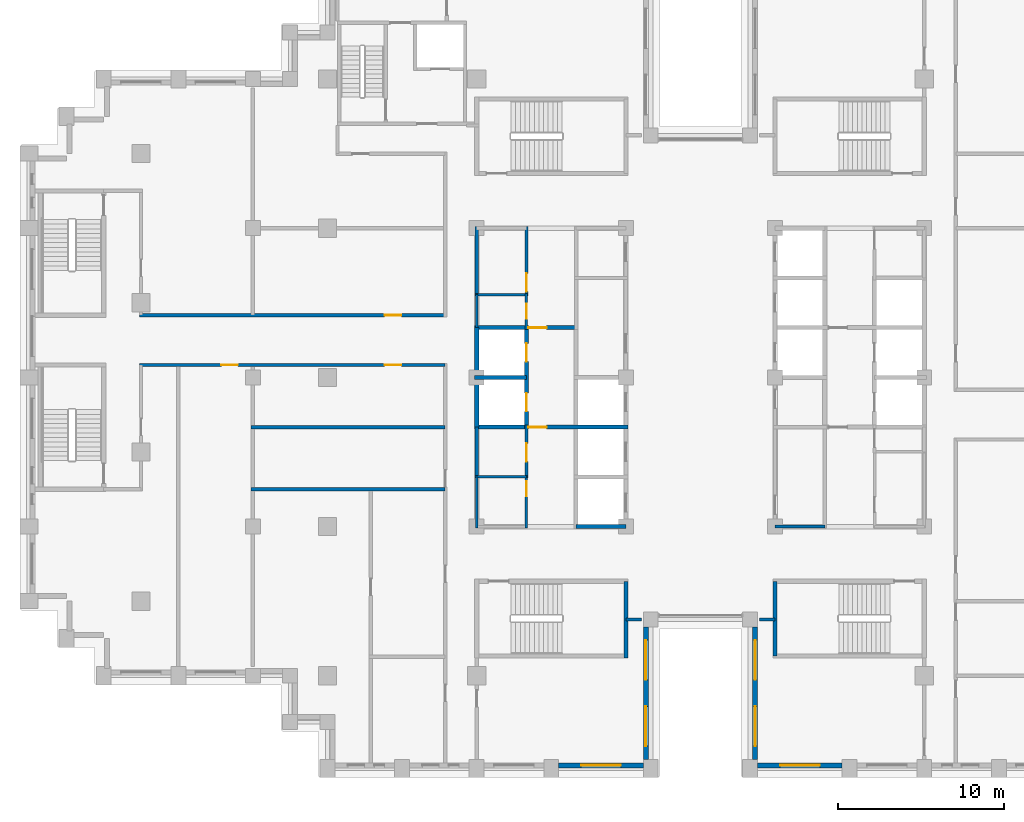
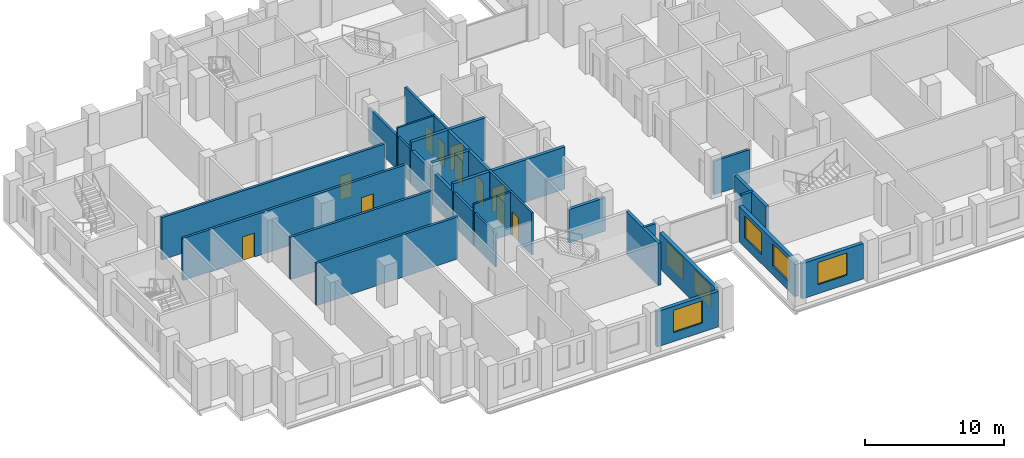
# One storey, part 7 of 15: 29 walls, 11 doors, 6 windows, 17 openings.
"""IFC4 building model written with IfcOpenShell, lengths in metres."""

import ifcopenshell
import ifcopenshell.guid

model = None  # the IFC model being written
_history = None  # IfcOwnerHistory: only IFC2X3 demands one
_inside = {}  # id of a spatial element -> (the spatial element, [elements in it])
_under = {}  # id of a project, library or spatial element -> (it, [spatial elements below it])
_declared = {}  # id of a project -> (the project, [libraries it declares])
_typed = {}  # id of a type object -> (the type object, [elements of that type])
_made_of = {}  # id of a material, layer set ... -> (it, [elements and type objects made of it])


def new_model(schema):
    """Start an empty IFC model of exactly this schema.

    Asked for "IFC4X3", IfcOpenShell would pick the latest addendum, in which some entities
    have other attributes; the version numbers below select the first issue.
    IFC2X3 requires an IfcOwnerHistory on every rooted entity: one is made here for all.
    """
    global model, _history
    if schema == "IFC4X3":
        model = ifcopenshell.file(schema_version=(4, 3, 0, 0))
    else:
        model = ifcopenshell.file(schema=schema)
    _inside.clear()
    _under.clear()
    _declared.clear()
    _typed.clear()
    _made_of.clear()
    _history = None
    if model.schema == "IFC2X3":
        org = make("IfcOrganization", Name="unknown")
        user = make(
            "IfcPersonAndOrganization",
            ThePerson=make("IfcPerson", FamilyName="unknown"),
            TheOrganization=org,
        )
        app = make(
            "IfcApplication",
            ApplicationDeveloper=org,
            Version="unknown",
            ApplicationFullName="unknown",
            ApplicationIdentifier="unknown",
        )
        _history = make(
            "IfcOwnerHistory",
            OwningUser=user,
            OwningApplication=app,
            ChangeAction="ADDED",
            CreationDate=0,
        )
    return model


def make(cls, **values):
    """One entity of the class cls with the attributes given. An attribute that is None is left unset."""
    return model.create_entity(
        cls, **{name: value for name, value in values.items() if value is not None}
    )


def rooted(cls, **values):
    """An entity with a GlobalId (a new one), such as an element, a storey or a relation."""
    return make(cls, GlobalId=ifcopenshell.guid.new(), OwnerHistory=_history, **values)


def si_unit(unit_type, name, prefix=None):
    """IfcSIUnit, for example si_unit("LENGTHUNIT", "METRE", prefix="MILLI")."""
    return make("IfcSIUnit", UnitType=unit_type, Prefix=prefix, Name=name)


def assignment(units):
    """IfcUnitAssignment: the units of a project."""
    return None if units is None else make("IfcUnitAssignment", Units=units)


def point(xyz):
    """IfcCartesianPoint."""
    return None if xyz is None else make("IfcCartesianPoint", Coordinates=xyz)


def direction(xyz):
    """IfcDirection."""
    return None if xyz is None else make("IfcDirection", DirectionRatios=xyz)


def frame(location, z_axis=None, x_axis=None):
    """IfcAxis2Placement3D, a coordinate frame: its origin and axes. An axis left out is left unset."""
    return make(
        "IfcAxis2Placement3D",
        Location=point(location),
        Axis=direction(z_axis),
        RefDirection=direction(x_axis),
    )


def frame_2d(location, x_axis=None):
    """IfcAxis2Placement2D, a coordinate frame in the plane: its origin and x axis."""
    return make(
        "IfcAxis2Placement2D", Location=point(location), RefDirection=direction(x_axis)
    )


def origin():
    """The frame at (0, 0, 0) with its axes left unset."""
    return frame((0.0, 0.0, 0.0))


def place(relative_to, where):
    """IfcLocalPlacement: puts the frame where relative to a parent placement (None: the world)."""
    return make(
        "IfcLocalPlacement", PlacementRelTo=relative_to, RelativePlacement=where
    )


def context(
    kind, dimensions, precision=None, world=None, true_north=None, identifier=None
):
    """IfcGeometricRepresentationContext, for example the 3D "Model" context."""
    return make(
        "IfcGeometricRepresentationContext",
        ContextIdentifier=identifier,
        ContextType=kind,
        CoordinateSpaceDimension=dimensions,
        Precision=precision,
        WorldCoordinateSystem=world,
        TrueNorth=true_north,
    )


def subcontext(parent, identifier, kind, view, scale=None):
    """IfcGeometricRepresentationSubContext, for example "Body" below "Model"."""
    return make(
        "IfcGeometricRepresentationSubContext",
        ContextIdentifier=identifier,
        ContextType=kind,
        ParentContext=parent,
        TargetScale=scale,
        TargetView=view,
    )


def project(units=None, contexts=None):
    """IfcProject with its units and contexts."""
    return rooted(
        "IfcProject",
        Name="project",
        RepresentationContexts=contexts,
        UnitsInContext=assignment(units),
    )


def spatial(cls, under=None, at=None, **own):
    """A site, building, storey or space (cls), placed at a placement, below another one or the project."""
    s = rooted(cls, ObjectPlacement=at, **own)
    if under is not None:
        _under.setdefault(under.id(), (under, []))[1].append(s)
    return s


def profile(cls, at=None, kind="AREA", **sizes):
    """A parametric profile (cls). Its sizes go by their IFC names, for example OverallWidth=200.0."""
    return make(cls, ProfileType=kind, Position=at, **sizes)


def rectangle(**sizes):
    """IfcRectangleProfileDef."""
    return profile("IfcRectangleProfileDef", **sizes)


def extrude(swept, where, along, depth):
    """IfcExtrudedAreaSolid: the profile swept, set in the frame where, extruded along a direction by depth."""
    return make(
        "IfcExtrudedAreaSolid",
        SweptArea=swept,
        Position=where,
        ExtrudedDirection=direction(along),
        Depth=depth,
    )


def shape(context_of_items, identifier, shape_type, items):
    """IfcShapeRepresentation: the items that make up one representation, for example the "Body"."""
    return make(
        "IfcShapeRepresentation",
        ContextOfItems=context_of_items,
        RepresentationIdentifier=identifier,
        RepresentationType=shape_type,
        Items=items,
    )


def material(Name=None, Category=None):
    """IfcMaterial."""
    return make("IfcMaterial", Name=Name, Category=Category)


def layer(
    of_material, thickness, ventilated=None, Name=None, Category=None, Priority=None
):
    """IfcMaterialLayer: one layer of a wall or slab, of a material (None: an air gap)."""
    return make(
        "IfcMaterialLayer",
        Material=of_material,
        LayerThickness=thickness,
        IsVentilated=ventilated,
        Name=Name,
        Category=Category,
        Priority=Priority,
    )


def layer_set(layers, Name=None):
    """IfcMaterialLayerSet."""
    return make("IfcMaterialLayerSet", MaterialLayers=layers, LayerSetName=Name)


def made_of(thing, what):
    """Note that an element or type object is made of a material, layer set ...; save() writes the relation."""
    if what is not None:
        _made_of.setdefault(what.id(), (what, []))[1].append(thing)
    return thing


def type_object(cls, material=None, **own):
    """A type object (cls), such as IfcWallType, which elements share."""
    return made_of(rooted(cls, **own), material)


def element(
    cls,
    number,
    at=None,
    inside=None,
    cuts=None,
    type_object=None,
    material=None,
    context=None,
    identifier="Body",
    shape_type=None,
    held_by="IfcProductDefinitionShape",
    body=None,
    shapes=None,
    **own,
):
    """One element of the class cls, such as IfcWall. Its Tag is "e" and its number.

    at: its placement. inside: the storey or other place that contains it. cuts: it is an
    opening in that element (IfcRelVoidsElement). A single representation is given by context,
    identifier, shape_type and body (its items); several are given by shapes. held_by: the class
    of the entity that holds the representations. save() writes the other relations.
    """
    e = rooted(cls, Tag="e%d" % number, ObjectPlacement=at, **own)
    if body is not None:
        shapes = [shape(context, identifier, shape_type, body)]
    if shapes is not None:
        e.Representation = make(held_by, Representations=shapes)
    if inside is not None:
        _inside.setdefault(inside.id(), (inside, []))[1].append(e)
    if cuts is not None:
        rooted(
            "IfcRelVoidsElement", RelatingBuildingElement=cuts, RelatedOpeningElement=e
        )
    if type_object is not None:
        _typed.setdefault(type_object.id(), (type_object, []))[1].append(e)
    return made_of(e, material)


def fill(opening, filler):
    """IfcRelFillsElement: the door or window that sits in an opening."""
    return rooted(
        "IfcRelFillsElement",
        RelatingOpeningElement=opening,
        RelatedBuildingElement=filler,
    )


def aggregate(whole, parts):
    """IfcRelAggregates: a whole, such as a stair, and the parts it consists of."""
    return rooted("IfcRelAggregates", RelatingObject=whole, RelatedObjects=parts)


def save(model, path):
    """Write the relations noted so far, then the file.

    IfcRelAggregates (storeys below a building ...), IfcRelContainedInSpatialStructure (elements
    in a storey), IfcRelDefinesByType, IfcRelAssociatesMaterial and IfcRelDeclares: one each for
    every whole, place, type object, material and project.
    """
    for whole, parts in _under.values():
        aggregate(whole, parts)
    for where, things in _inside.values():
        rooted(
            "IfcRelContainedInSpatialStructure",
            RelatedElements=things,
            RelatingStructure=where,
        )
    for kind, things in _typed.values():
        rooted("IfcRelDefinesByType", RelatedObjects=things, RelatingType=kind)
    for what, things in _made_of.values():
        rooted("IfcRelAssociatesMaterial", RelatedObjects=things, RelatingMaterial=what)
    for by, libraries in _declared.values():
        rooted("IfcRelDeclares", RelatingContext=by, RelatedDefinitions=libraries)
    model.write(path)


model = new_model("IFC4")

# Units and contexts
model_context = context("Model", 3, precision=1e-05, world=origin(), true_north=direction((0.0, 1.0)))
body_context = subcontext(model_context, "Body", "Model", "MODEL_VIEW")
ifc_project = project(units=[si_unit("LENGTHUNIT", "METRE"), si_unit("AREAUNIT", "SQUARE_METRE"), si_unit("VOLUMEUNIT", "CUBIC_METRE"), si_unit("PLANEANGLEUNIT", "RADIAN"), si_unit("MASSUNIT", "GRAM", prefix="KILO")], contexts=[model_context])

# Site, building, storey
site_placement = place(None, origin())
site = spatial("IfcSite", under=ifc_project, at=site_placement, CompositionType="ELEMENT")
building_placement = place(site_placement, origin())
building = spatial("IfcBuilding", under=site, at=building_placement, Name="Corbelhall Arena Tower", CompositionType="ELEMENT")
storey_placement = place(building_placement, frame((0.0, 0.0, 134.0)))
storey = spatial("IfcBuildingStorey", under=building, at=storey_placement, Name="L25", CompositionType="ELEMENT", Elevation=134.0)

# Wall, opening, window
ifc_material_1 = material(Name="Precast concrete C40/50 with granite facing", Category="masonry")
ifc_layer_1 = layer(ifc_material_1, 0.300048828125)
ifc_layer_set_1 = layer_set([ifc_layer_1], Name="EV-IW1 Infill panel 300")
wall_type_1 = type_object("IfcWallType", Name="EV-IW1 Infill panel 300", PredefinedType="SOLIDWALL", material=ifc_layer_set_1)
wall_1_placement = place(storey_placement, frame((-8.550048828125, -23.39990234375, 0.0), z_axis=(0.0, 0.0, 1.0), x_axis=(1.0, 0.0, 0.0)))
wall_1 = element("IfcWall", 1, at=wall_1_placement, inside=storey, type_object=wall_type_1, Name="Infill panel IW1", PredefinedType="SOLIDWALL", context=body_context, shape_type="SweptSolid", body=[
    extrude(rectangle(XDim=5.10009765625, YDim=0.300048828125, at=frame_2d((2.550048828125, 0.0))), origin(), (0.0, 0.0, 1.0), 3.10009765625),
])
opening_1_placement = place(wall_1_placement, frame((1.35009765625, 0.0, 0.800048828125)))
opening_1 = element("IfcOpeningElement", 2, at=opening_1_placement, cuts=wall_1, Name="Opening WN1", PredefinedType="OPENING", context=body_context, shape_type="SweptSolid", body=[
    extrude(rectangle(XDim=2.39990234375, YDim=1.949951171875, at=frame_2d((1.199951171875, 0.97509765625))), frame((0.0, 0.14990234375, 0.0), z_axis=(0.0, -1.0, 0.0), x_axis=(1.0, 0.0, 0.0)), (0.0, 0.0, 1.0), 0.300048828125),
])
ifc_material_2 = material(Name="Aluminium black anodised", Category="aluminium")
window_type = type_object("IfcWindowType", Name="EV-WN1 Office window", PartitioningType="SINGLE_PANEL", PredefinedType="WINDOW", material=ifc_material_2)
window_1_placement = place(opening_1_placement, origin())
window_1 = element("IfcWindow", 3, at=window_1_placement, inside=storey, type_object=window_type, Name="Window WN1", OverallHeight=1.949951171875, OverallWidth=2.39990234375, PartitioningType="SINGLE_PANEL", PredefinedType="WINDOW", context=body_context, shape_type="SweptSolid", body=[
    extrude(rectangle(XDim=2.39990234375, YDim=1.949951171875, at=frame_2d((1.199951171875, 0.97509765625))), frame((0.0, 0.030029296875, 0.0), z_axis=(0.0, -1.0, 0.0), x_axis=(1.0, 0.0, 0.0)), (0.0, 0.0, 1.0), 0.06005859375),
])
fill(opening_1, window_1)

# Wall, openings, windows
wall_2_placement = place(storey_placement, frame((-3.300048828125, -23.050048828125, 0.0), z_axis=(0.0, 0.0, 1.0), x_axis=(0.0, 1.0, 0.0)))
wall_2 = element("IfcWall", 4, at=wall_2_placement, inside=storey, type_object=wall_type_1, Name="Infill panel IW1", PredefinedType="SOLIDWALL", context=body_context, shape_type="SweptSolid", body=[
    extrude(rectangle(XDim=8.0, YDim=0.300048828125, at=frame_2d((4.0, 0.0))), origin(), (0.0, 0.0, 1.0), 3.10009765625),
])
opening_2_placement = place(wall_2_placement, frame((0.800048828125, 0.0, 0.800048828125)))
opening_2 = element("IfcOpeningElement", 5, at=opening_2_placement, cuts=wall_2, Name="Opening WN1", PredefinedType="OPENING", context=body_context, shape_type="SweptSolid", body=[
    extrude(rectangle(XDim=2.39990234375, YDim=1.949951171875, at=frame_2d((1.199951171875, 0.97509765625))), frame((0.0, 0.14990234375, 0.0), z_axis=(0.0, -1.0, 0.0), x_axis=(1.0, 0.0, 0.0)), (0.0, 0.0, 1.0), 0.300048828125),
])
opening_3_placement = place(wall_2_placement, frame((4.800048828125, 0.0, 0.800048828125)))
opening_3 = element("IfcOpeningElement", 6, at=opening_3_placement, cuts=wall_2, Name="Opening WN1", PredefinedType="OPENING", context=body_context, shape_type="SweptSolid", body=[
    extrude(rectangle(XDim=2.39990234375, YDim=1.949951171875, at=frame_2d((1.199951171875, 0.97509765625))), frame((0.0, 0.14990234375, 0.0), z_axis=(0.0, -1.0, 0.0), x_axis=(1.0, 0.0, 0.0)), (0.0, 0.0, 1.0), 0.300048828125),
])
window_2_placement = place(opening_2_placement, origin())
window_2 = element("IfcWindow", 7, at=window_2_placement, inside=storey, type_object=window_type, Name="Window WN1", OverallHeight=1.949951171875, OverallWidth=2.39990234375, PartitioningType="SINGLE_PANEL", PredefinedType="WINDOW", context=body_context, shape_type="SweptSolid", body=[
    extrude(rectangle(XDim=2.39990234375, YDim=1.949951171875, at=frame_2d((1.199951171875, 0.97509765625))), frame((0.0, 0.030029296875, 0.0), z_axis=(0.0, -1.0, 0.0), x_axis=(1.0, 0.0, 0.0)), (0.0, 0.0, 1.0), 0.06005859375),
])
fill(opening_2, window_2)
window_3_placement = place(opening_3_placement, origin())
window_3 = element("IfcWindow", 8, at=window_3_placement, inside=storey, type_object=window_type, Name="Window WN1", OverallHeight=1.949951171875, OverallWidth=2.39990234375, PartitioningType="SINGLE_PANEL", PredefinedType="WINDOW", context=body_context, shape_type="SweptSolid", body=[
    extrude(rectangle(XDim=2.39990234375, YDim=1.949951171875, at=frame_2d((1.199951171875, 0.97509765625))), frame((0.0, 0.030029296875, 0.0), z_axis=(0.0, -1.0, 0.0), x_axis=(1.0, 0.0, 0.0)), (0.0, 0.0, 1.0), 0.06005859375),
])
fill(opening_3, window_3)

wall_3_placement = place(storey_placement, frame((3.300048828125, -15.050048828125, 0.0), z_axis=(0.0, 0.0, 1.0), x_axis=(0.0, -1.0, 0.0)))
wall_3 = element("IfcWall", 9, at=wall_3_placement, inside=storey, type_object=wall_type_1, Name="Infill panel IW1", PredefinedType="SOLIDWALL", context=body_context, shape_type="SweptSolid", body=[
    extrude(rectangle(XDim=8.0, YDim=0.300048828125, at=frame_2d((4.0, 0.0))), origin(), (0.0, 0.0, 1.0), 3.10009765625),
])
opening_4_placement = place(wall_3_placement, frame((0.800048828125, 0.0, 0.800048828125)))
opening_4 = element("IfcOpeningElement", 10, at=opening_4_placement, cuts=wall_3, Name="Opening WN1", PredefinedType="OPENING", context=body_context, shape_type="SweptSolid", body=[
    extrude(rectangle(XDim=2.39990234375, YDim=1.949951171875, at=frame_2d((1.199951171875, 0.97509765625))), frame((0.0, 0.14990234375, 0.0), z_axis=(0.0, -1.0, 0.0), x_axis=(1.0, 0.0, 0.0)), (0.0, 0.0, 1.0), 0.300048828125),
])
opening_5_placement = place(wall_3_placement, frame((4.800048828125, 0.0, 0.800048828125)))
opening_5 = element("IfcOpeningElement", 11, at=opening_5_placement, cuts=wall_3, Name="Opening WN1", PredefinedType="OPENING", context=body_context, shape_type="SweptSolid", body=[
    extrude(rectangle(XDim=2.39990234375, YDim=1.949951171875, at=frame_2d((1.199951171875, 0.97509765625))), frame((0.0, 0.14990234375, 0.0), z_axis=(0.0, -1.0, 0.0), x_axis=(1.0, 0.0, 0.0)), (0.0, 0.0, 1.0), 0.300048828125),
])
window_4_placement = place(opening_4_placement, origin())
window_4 = element("IfcWindow", 12, at=window_4_placement, inside=storey, type_object=window_type, Name="Window WN1", OverallHeight=1.949951171875, OverallWidth=2.39990234375, PartitioningType="SINGLE_PANEL", PredefinedType="WINDOW", context=body_context, shape_type="SweptSolid", body=[
    extrude(rectangle(XDim=2.39990234375, YDim=1.949951171875, at=frame_2d((1.199951171875, 0.97509765625))), frame((0.0, 0.030029296875, 0.0), z_axis=(0.0, -1.0, 0.0), x_axis=(1.0, 0.0, 0.0)), (0.0, 0.0, 1.0), 0.06005859375),
])
fill(opening_4, window_4)
window_5_placement = place(opening_5_placement, origin())
window_5 = element("IfcWindow", 13, at=window_5_placement, inside=storey, type_object=window_type, Name="Window WN1", OverallHeight=1.949951171875, OverallWidth=2.39990234375, PartitioningType="SINGLE_PANEL", PredefinedType="WINDOW", context=body_context, shape_type="SweptSolid", body=[
    extrude(rectangle(XDim=2.39990234375, YDim=1.949951171875, at=frame_2d((1.199951171875, 0.97509765625))), frame((0.0, 0.030029296875, 0.0), z_axis=(0.0, -1.0, 0.0), x_axis=(1.0, 0.0, 0.0)), (0.0, 0.0, 1.0), 0.06005859375),
])
fill(opening_5, window_5)

# Wall, opening, window
wall_4_placement = place(storey_placement, frame((3.449951171875, -23.39990234375, 0.0), z_axis=(0.0, 0.0, 1.0), x_axis=(1.0, 0.0, 0.0)))
wall_4 = element("IfcWall", 14, at=wall_4_placement, inside=storey, type_object=wall_type_1, Name="Infill panel IW1", PredefinedType="SOLIDWALL", context=body_context, shape_type="SweptSolid", body=[
    extrude(rectangle(XDim=5.10009765625, YDim=0.300048828125, at=frame_2d((2.550048828125, 0.0))), origin(), (0.0, 0.0, 1.0), 3.10009765625),
])
opening_6_placement = place(wall_4_placement, frame((1.35009765625, 0.0, 0.800048828125)))
opening_6 = element("IfcOpeningElement", 15, at=opening_6_placement, cuts=wall_4, Name="Opening WN1", PredefinedType="OPENING", context=body_context, shape_type="SweptSolid", body=[
    extrude(rectangle(XDim=2.39990234375, YDim=1.949951171875, at=frame_2d((1.199951171875, 0.97509765625))), frame((0.0, 0.14990234375, 0.0), z_axis=(0.0, -1.0, 0.0), x_axis=(1.0, 0.0, 0.0)), (0.0, 0.0, 1.0), 0.300048828125),
])
window_6_placement = place(opening_6_placement, origin())
window_6 = element("IfcWindow", 16, at=window_6_placement, inside=storey, type_object=window_type, Name="Window WN1", OverallHeight=1.949951171875, OverallWidth=2.39990234375, PartitioningType="SINGLE_PANEL", PredefinedType="WINDOW", context=body_context, shape_type="SweptSolid", body=[
    extrude(rectangle(XDim=2.39990234375, YDim=1.949951171875, at=frame_2d((1.199951171875, 0.97509765625))), frame((0.0, 0.030029296875, 0.0), z_axis=(0.0, -1.0, 0.0), x_axis=(1.0, 0.0, 0.0)), (0.0, 0.0, 1.0), 0.06005859375),
])
fill(opening_6, window_6)

# Wall, opening, door
ifc_material_3 = material(Name="Gypsum board on steel stud, acoustic", Category="steel")
ifc_layer_2 = layer(ifc_material_3, 0.199951171875)
ifc_layer_set_2 = layer_set([ifc_layer_2], Name="IN-W-DM200")
wall_type_2 = type_object("IfcWallType", Name="IN-W-DM200", PredefinedType="PARTITIONING", material=ifc_layer_set_2)
wall_5_placement = place(storey_placement, frame((-33.85009765625, 3.75, 0.0), z_axis=(0.0, 0.0, 1.0), x_axis=(1.0, 0.0, 0.0)))
wall_5 = element("IfcWall", 17, at=wall_5_placement, inside=storey, type_object=wall_type_2, Name="Partition 002", PredefinedType="PARTITIONING", context=body_context, shape_type="SweptSolid", body=[
    extrude(rectangle(XDim=18.4501953125, YDim=0.199951171875, at=frame_2d((9.22509765625, 0.0))), origin(), (0.0, 0.0, 1.0), 3.699951171875),
])
opening_7_placement = place(wall_5_placement, frame((14.800048828125, 0.0, 0.0)))
opening_7 = element("IfcOpeningElement", 18, at=opening_7_placement, cuts=wall_5, Name="Opening 06027", PredefinedType="OPENING", context=body_context, shape_type="SweptSolid", body=[
    extrude(rectangle(XDim=1.0, YDim=2.10009765625, at=frame_2d((0.5, 1.050048828125))), frame((0.0, 0.10009765625, 0.0), z_axis=(0.0, -1.0, 0.0), x_axis=(1.0, 0.0, 0.0)), (0.0, 0.0, 1.0), 0.199951171875),
])
ifc_material_4 = material(Name="Steel door set", Category="steel")
door_type_1 = type_object("IfcDoorType", Name="IN-D-SW100", OperationType="NOTDEFINED", PredefinedType="DOOR", material=ifc_material_4)
door_1_placement = place(opening_7_placement, origin())
door_1 = element("IfcDoor", 19, at=door_1_placement, inside=storey, type_object=door_type_1, Name="Door 027", OperationType="SINGLE_SWING_RIGHT", OverallHeight=2.10009765625, OverallWidth=1.0, PredefinedType="DOOR", context=body_context, shape_type="SweptSolid", body=[
    extrude(rectangle(XDim=1.0, YDim=2.10009765625, at=frame_2d((0.5, 1.050048828125))), frame((0.0, 0.02490234375, 0.0), z_axis=(0.0, -1.0, 0.0), x_axis=(1.0, 0.0, 0.0)), (0.0, 0.0, 1.0), 0.050048828125),
])
fill(opening_7, door_1)

# Wall, openings, doors
wall_6_placement = place(storey_placement, frame((-15.39990234375, 0.75, 0.0), z_axis=(0.0, 0.0, 1.0), x_axis=(-1.0, 0.0, 0.0)))
wall_6 = element("IfcWall", 20, at=wall_6_placement, inside=storey, type_object=wall_type_2, Name="Partition 007", PredefinedType="PARTITIONING", context=body_context, shape_type="SweptSolid", body=[
    extrude(rectangle(XDim=18.4501953125, YDim=0.199951171875, at=frame_2d((9.22509765625, 0.0))), origin(), (0.0, 0.0, 1.0), 3.699951171875),
])
opening_8_placement = place(wall_6_placement, frame((2.64990234375, 0.0, 0.0)))
opening_8 = element("IfcOpeningElement", 21, at=opening_8_placement, cuts=wall_6, Name="Opening 06033", PredefinedType="OPENING", context=body_context, shape_type="SweptSolid", body=[
    extrude(rectangle(XDim=1.0, YDim=2.10009765625, at=frame_2d((0.5, 1.050048828125))), frame((0.0, 0.10009765625, 0.0), z_axis=(0.0, -1.0, 0.0), x_axis=(1.0, 0.0, 0.0)), (0.0, 0.0, 1.0), 0.199951171875),
])
opening_9_placement = place(wall_6_placement, frame((12.5, 0.0, 0.0)))
opening_9 = element("IfcOpeningElement", 22, at=opening_9_placement, cuts=wall_6, Name="Opening 06345", PredefinedType="OPENING", context=body_context, shape_type="SweptSolid", body=[
    extrude(rectangle(XDim=1.0, YDim=2.10009765625, at=frame_2d((0.5, 1.050048828125))), frame((0.0, 0.10009765625, 0.0), z_axis=(0.0, -1.0, 0.0), x_axis=(1.0, 0.0, 0.0)), (0.0, 0.0, 1.0), 0.199951171875),
])
door_2_placement = place(opening_8_placement, origin())
door_2 = element("IfcDoor", 23, at=door_2_placement, inside=storey, type_object=door_type_1, Name="Door 033", OperationType="SINGLE_SWING_RIGHT", OverallHeight=2.10009765625, OverallWidth=1.0, PredefinedType="DOOR", context=body_context, shape_type="SweptSolid", body=[
    extrude(rectangle(XDim=1.0, YDim=2.10009765625, at=frame_2d((0.5, 1.050048828125))), frame((0.0, 0.02490234375, 0.0), z_axis=(0.0, -1.0, 0.0), x_axis=(1.0, 0.0, 0.0)), (0.0, 0.0, 1.0), 0.050048828125),
])
fill(opening_8, door_2)
door_3_placement = place(opening_9_placement, origin())
door_3 = element("IfcDoor", 24, at=door_3_placement, inside=storey, type_object=door_type_1, Name="Door 045", OperationType="SINGLE_SWING_RIGHT", OverallHeight=2.10009765625, OverallWidth=1.0, PredefinedType="DOOR", context=body_context, shape_type="SweptSolid", body=[
    extrude(rectangle(XDim=1.0, YDim=2.10009765625, at=frame_2d((0.5, 1.050048828125))), frame((0.0, 0.02490234375, 0.0), z_axis=(0.0, -1.0, 0.0), x_axis=(1.0, 0.0, 0.0)), (0.0, 0.0, 1.0), 0.050048828125),
])
fill(opening_9, door_3)

# Walls
for number, where, z_axis, x_axis, name in (
    (25, (-27.10009765625, -6.75, 0.0), (0.0, 0.0, 1.0), (1.0, 0.0, 0.0), "Partition 008"),
    (26, (-27.10009765625, -3.0, 0.0), (0.0, 0.0, 1.0), (1.0, 0.0, 0.0), "Partition 009"),
):
    element("IfcWall", number, at=place(storey_placement, frame(where, z_axis=z_axis, x_axis=x_axis)), inside=storey, type_object=wall_type_2, Name=name, PredefinedType="PARTITIONING", context=body_context, shape_type="SweptSolid", body=[
        extrude(rectangle(XDim=11.7001953125, YDim=0.199951171875, at=frame_2d((5.85009765625, 0.0))), origin(), (0.0, 0.0, 1.0), 3.699951171875),
    ])
for number, where, z_axis, x_axis, name in (
    (27, (-3.550048828125, -14.60009765625, 0.0), (0.0, 0.0, 1.0), (-1.0, 0.0, 0.0), "Partition 024"),
    (28, (4.5, -14.60009765625, 0.0), (0.0, 0.0, 1.0), (-1.0, 0.0, 0.0), "Partition 026"),
):
    element("IfcWall", number, at=place(storey_placement, frame(where, z_axis=z_axis, x_axis=x_axis)), inside=storey, type_object=wall_type_2, Name=name, PredefinedType="PARTITIONING", context=body_context, shape_type="SweptSolid", body=[
        extrude(rectangle(XDim=0.949951171875, YDim=0.199951171875, at=frame_2d((0.47509765625, 0.0))), origin(), (0.0, 0.0, 1.0), 3.699951171875),
    ])

# Wall, opening, door
ifc_material_5 = material(Name="Concrete block wall", Category="concrete")
ifc_layer_3 = layer(ifc_material_5, 0.199951171875)
ifc_layer_set_3 = layer_set([ifc_layer_3], Name="IN-W-RS200")
wall_type_3 = type_object("IfcWallType", Name="IN-W-RS200", PredefinedType="SOLIDWALL", material=ifc_layer_set_3)
wall_7_placement = place(storey_placement, frame((-10.5, -6.074951171875, 0.0), z_axis=(0.0, 0.0, 1.0), x_axis=(0.0, 1.0, 0.0)))
wall_7 = element("IfcWall", 29, at=wall_7_placement, inside=storey, type_object=wall_type_3, Name="Partition 050", PredefinedType="SOLIDWALL", context=body_context, shape_type="SweptSolid", body=[
    extrude(rectangle(XDim=3.199951171875, YDim=0.199951171875, at=frame_2d((1.60009765625, 0.0))), origin(), (0.0, 0.0, 1.0), 3.699951171875),
])
opening_10_placement = place(wall_7_placement, frame((1.0, 0.0, 0.0)))
opening_10 = element("IfcOpeningElement", 30, at=opening_10_placement, cuts=wall_7, Name="Opening 06006", PredefinedType="OPENING", context=body_context, shape_type="SweptSolid", body=[
    extrude(rectangle(XDim=1.10009765625, YDim=2.10009765625, at=frame_2d((0.550048828125, 1.050048828125))), frame((0.0, 0.10009765625, 0.0), z_axis=(0.0, -1.0, 0.0), x_axis=(1.0, 0.0, 0.0)), (0.0, 0.0, 1.0), 0.199951171875),
])
door_type_2 = type_object("IfcDoorType", Name="IN-D-FD110", OperationType="NOTDEFINED", PredefinedType="DOOR", material=ifc_material_4)
door_4_placement = place(opening_10_placement, origin())
door_4 = element("IfcDoor", 31, at=door_4_placement, inside=storey, type_object=door_type_2, Name="Door 006", OperationType="SINGLE_SWING_LEFT", OverallHeight=2.10009765625, OverallWidth=1.10009765625, PredefinedType="DOOR", context=body_context, shape_type="SweptSolid", body=[
    extrude(rectangle(XDim=1.10009765625, YDim=2.10009765625, at=frame_2d((0.550048828125, 1.050048828125))), frame((0.0, 0.02490234375, 0.0), z_axis=(0.0, -1.0, 0.0), x_axis=(1.0, 0.0, 0.0)), (0.0, 0.0, 1.0), 0.050048828125),
])
fill(opening_10, door_4)

wall_8_placement = place(storey_placement, frame((-10.5, 4.925048828125, 0.0), z_axis=(0.0, 0.0, 1.0), x_axis=(0.0, 1.0, 0.0)))
wall_8 = element("IfcWall", 32, at=wall_8_placement, inside=storey, type_object=wall_type_3, Name="Partition 051", PredefinedType="SOLIDWALL", context=body_context, shape_type="SweptSolid", body=[
    extrude(rectangle(XDim=4.175048828125, YDim=0.199951171875, at=frame_2d((2.08740234375, 0.0))), origin(), (0.0, 0.0, 1.0), 3.699951171875),
])
opening_11_placement = place(wall_8_placement, frame((0.25, 0.0, 0.0)))
opening_11 = element("IfcOpeningElement", 33, at=opening_11_placement, cuts=wall_8, Name="Opening 06007", PredefinedType="OPENING", context=body_context, shape_type="SweptSolid", body=[
    extrude(rectangle(XDim=1.10009765625, YDim=2.10009765625, at=frame_2d((0.550048828125, 1.050048828125))), frame((0.0, 0.10009765625, 0.0), z_axis=(0.0, -1.0, 0.0), x_axis=(1.0, 0.0, 0.0)), (0.0, 0.0, 1.0), 0.199951171875),
])
door_5_placement = place(opening_11_placement, origin())
door_5 = element("IfcDoor", 34, at=door_5_placement, inside=storey, type_object=door_type_2, Name="Door 007", OperationType="SINGLE_SWING_RIGHT", OverallHeight=2.10009765625, OverallWidth=1.10009765625, PredefinedType="DOOR", context=body_context, shape_type="SweptSolid", body=[
    extrude(rectangle(XDim=1.10009765625, YDim=2.10009765625, at=frame_2d((0.550048828125, 1.050048828125))), frame((0.0, 0.02490234375, 0.0), z_axis=(0.0, -1.0, 0.0), x_axis=(1.0, 0.0, 0.0)), (0.0, 0.0, 1.0), 0.050048828125),
])
fill(opening_11, door_5)

# Walls
ifc_layer_4 = layer(ifc_material_5, 0.199951171875)
ifc_layer_set_4 = layer_set([ifc_layer_4], Name="IN-W-RS200 under beam 762 mm")
wall_type_4 = type_object("IfcWallType", Name="IN-W-RS200 under beam 762 mm", PredefinedType="SOLIDWALL", material=ifc_layer_set_4)
wall_9_placement = place(storey_placement, frame((-13.5, -6.0, 0.0), z_axis=(0.0, 0.0, 1.0), x_axis=(0.0, 1.0, 0.0)))
element("IfcWall", 35, at=wall_9_placement, inside=storey, type_object=wall_type_4, Name="Partition 047", PredefinedType="SOLIDWALL", context=body_context, shape_type="SweptSolid", body=[
    extrude(rectangle(XDim=3.0, YDim=0.199951171875, at=frame_2d((1.5, 0.0))), origin(), (0.0, 0.0, 1.0), 2.93798828125),
])
wall_10_placement = place(storey_placement, frame((-13.5, 5.0, 0.0), z_axis=(0.0, 0.0, 1.0), x_axis=(0.0, 1.0, 0.0)))
element("IfcWall", 36, at=wall_10_placement, inside=storey, type_object=wall_type_4, Name="Partition 048", PredefinedType="SOLIDWALL", context=body_context, shape_type="SweptSolid", body=[
    extrude(rectangle(XDim=4.10009765625, YDim=0.199951171875, at=frame_2d((2.050048828125, 0.0))), origin(), (0.0, 0.0, 1.0), 2.93798828125),
])
wall_11_placement = place(storey_placement, frame((7.5, -9.0, 0.0), z_axis=(0.0, 0.0, 1.0), x_axis=(-1.0, 0.0, 0.0)))
element("IfcWall", 37, at=wall_11_placement, inside=storey, type_object=wall_type_4, Name="Partition 058", PredefinedType="SOLIDWALL", context=body_context, shape_type="SweptSolid", body=[
    extrude(rectangle(XDim=3.0, YDim=0.199951171875, at=frame_2d((1.5, 0.0))), origin(), (0.0, 0.0, 1.0), 2.93798828125),
])
ifc_material_6 = material(Name="Concrete C40/50", Category="concrete")
ifc_layer_5 = layer(ifc_material_6, 0.25)
ifc_layer_set_5 = layer_set([ifc_layer_5], Name="IN-W-SH250")
wall_type_5 = type_object("IfcWallType", Name="IN-W-SH250", PredefinedType="SOLIDWALL", material=ifc_layer_set_5)
wall_12_placement = place(storey_placement, frame((-13.625, 0.0, 0.0), z_axis=(0.0, 0.0, 1.0), x_axis=(1.0, 0.0, 0.0)))
element("IfcWall", 38, at=wall_12_placement, inside=storey, type_object=wall_type_5, Name="Shaft wall 065", PredefinedType="SOLIDWALL", context=body_context, shape_type="SweptSolid", body=[
    extrude(rectangle(XDim=3.125, YDim=0.25, at=frame_2d((1.5625, 0.0))), origin(), (0.0, 0.0, 1.0), 3.699951171875),
])

# Wall, opening, door
wall_13_placement = place(storey_placement, frame((-13.625, 3.0, 0.0), z_axis=(0.0, 0.0, 1.0), x_axis=(1.0, 0.0, 0.0)))
wall_13 = element("IfcWall", 39, at=wall_13_placement, inside=storey, type_object=wall_type_5, Name="Shaft wall 066", PredefinedType="SOLIDWALL", context=body_context, shape_type="SweptSolid", body=[
    extrude(rectangle(XDim=6.125, YDim=0.25, at=frame_2d((3.0625, 0.0))), origin(), (0.0, 0.0, 1.0), 3.699951171875),
])
opening_12_placement = place(wall_13_placement, frame((3.25, 0.0, 0.0)))
opening_12 = element("IfcOpeningElement", 40, at=opening_12_placement, cuts=wall_13, Name="Opening 06004", PredefinedType="OPENING", context=body_context, shape_type="SweptSolid", body=[
    extrude(rectangle(XDim=1.10009765625, YDim=2.10009765625, at=frame_2d((0.550048828125, 1.050048828125))), frame((0.0, 0.125, 0.0), z_axis=(0.0, -1.0, 0.0), x_axis=(1.0, 0.0, 0.0)), (0.0, 0.0, 1.0), 0.25),
])
door_6_placement = place(opening_12_placement, origin())
door_6 = element("IfcDoor", 41, at=door_6_placement, inside=storey, type_object=door_type_2, Name="Door 004", OperationType="SINGLE_SWING_LEFT", OverallHeight=2.10009765625, OverallWidth=1.10009765625, PredefinedType="DOOR", context=body_context, shape_type="SweptSolid", body=[
    extrude(rectangle(XDim=1.10009765625, YDim=2.10009765625, at=frame_2d((0.550048828125, 1.050048828125))), frame((0.0, 0.02490234375, 0.0), z_axis=(0.0, -1.0, 0.0), x_axis=(1.0, 0.0, 0.0)), (0.0, 0.0, 1.0), 0.050048828125),
])
fill(opening_12, door_6)

wall_14_placement = place(storey_placement, frame((-13.625, -3.0, 0.0), z_axis=(0.0, 0.0, 1.0), x_axis=(1.0, 0.0, 0.0)))
wall_14 = element("IfcWall", 42, at=wall_14_placement, inside=storey, type_object=wall_type_5, Name="Shaft wall 068", PredefinedType="SOLIDWALL", context=body_context, shape_type="SweptSolid", body=[
    extrude(rectangle(XDim=9.25, YDim=0.25, at=frame_2d((4.625, 0.0))), origin(), (0.0, 0.0, 1.0), 3.699951171875),
])
opening_13_placement = place(wall_14_placement, frame((3.25, 0.0, 0.0)))
opening_13 = element("IfcOpeningElement", 43, at=opening_13_placement, cuts=wall_14, Name="Opening 06003", PredefinedType="OPENING", context=body_context, shape_type="SweptSolid", body=[
    extrude(rectangle(XDim=1.10009765625, YDim=2.10009765625, at=frame_2d((0.550048828125, 1.050048828125))), frame((0.0, 0.125, 0.0), z_axis=(0.0, -1.0, 0.0), x_axis=(1.0, 0.0, 0.0)), (0.0, 0.0, 1.0), 0.25),
])
door_7_placement = place(opening_13_placement, origin())
door_7 = element("IfcDoor", 44, at=door_7_placement, inside=storey, type_object=door_type_2, Name="Door 003", OperationType="SINGLE_SWING_RIGHT", OverallHeight=2.10009765625, OverallWidth=1.10009765625, PredefinedType="DOOR", context=body_context, shape_type="SweptSolid", body=[
    extrude(rectangle(XDim=1.10009765625, YDim=2.10009765625, at=frame_2d((0.550048828125, 1.050048828125))), frame((0.0, 0.02490234375, 0.0), z_axis=(0.0, -1.0, 0.0), x_axis=(1.0, 0.0, 0.0)), (0.0, 0.0, 1.0), 0.050048828125),
])
fill(opening_13, door_7)

# Wall, openings, doors
wall_15_placement = place(storey_placement, frame((-10.5, -3.125, 0.0), z_axis=(0.0, 0.0, 1.0), x_axis=(0.0, 1.0, 0.0)))
wall_15 = element("IfcWall", 45, at=wall_15_placement, inside=storey, type_object=wall_type_5, Name="Shaft wall 069", PredefinedType="SOLIDWALL", context=body_context, shape_type="SweptSolid", body=[
    extrude(rectangle(XDim=6.25, YDim=0.25, at=frame_2d((3.125, 0.0))), origin(), (0.0, 0.0, 1.0), 3.699951171875),
])
opening_14_placement = place(wall_15_placement, frame((1.074951171875, 0.0, 0.0)))
opening_14 = element("IfcOpeningElement", 46, at=opening_14_placement, cuts=wall_15, Name="Opening LD", PredefinedType="OPENING", context=body_context, shape_type="SweptSolid", body=[
    extrude(rectangle(XDim=1.10009765625, YDim=2.10009765625, at=frame_2d((0.550048828125, 1.050048828125))), frame((0.0, 0.125, 0.0), z_axis=(0.0, -1.0, 0.0), x_axis=(1.0, 0.0, 0.0)), (0.0, 0.0, 1.0), 0.25),
])
opening_15_placement = place(wall_15_placement, frame((4.074951171875, 0.0, 0.0)))
opening_15 = element("IfcOpeningElement", 47, at=opening_15_placement, cuts=wall_15, Name="Opening LD", PredefinedType="OPENING", context=body_context, shape_type="SweptSolid", body=[
    extrude(rectangle(XDim=1.10009765625, YDim=2.10009765625, at=frame_2d((0.550048828125, 1.050048828125))), frame((0.0, 0.125, 0.0), z_axis=(0.0, -1.0, 0.0), x_axis=(1.0, 0.0, 0.0)), (0.0, 0.0, 1.0), 0.25),
])
door_type_3 = type_object("IfcDoorType", Name="IN-D-LD110", OperationType="NOTDEFINED", PredefinedType="DOOR", material=ifc_material_4)
door_8_placement = place(opening_14_placement, origin())
door_8 = element("IfcDoor", 48, at=door_8_placement, inside=storey, type_object=door_type_3, Name="Landing door W3", OperationType="SLIDING_TO_LEFT", OverallHeight=2.10009765625, OverallWidth=1.10009765625, PredefinedType="DOOR", context=body_context, shape_type="SweptSolid", body=[
    extrude(rectangle(XDim=1.10009765625, YDim=2.10009765625, at=frame_2d((0.550048828125, 1.050048828125))), frame((0.0, 0.02490234375, 0.0), z_axis=(0.0, -1.0, 0.0), x_axis=(1.0, 0.0, 0.0)), (0.0, 0.0, 1.0), 0.050048828125),
])
fill(opening_14, door_8)
door_9_placement = place(opening_15_placement, origin())
door_9 = element("IfcDoor", 49, at=door_9_placement, inside=storey, type_object=door_type_3, Name="Landing door W4", OperationType="SLIDING_TO_LEFT", OverallHeight=2.10009765625, OverallWidth=1.10009765625, PredefinedType="DOOR", context=body_context, shape_type="SweptSolid", body=[
    extrude(rectangle(XDim=1.10009765625, YDim=2.10009765625, at=frame_2d((0.550048828125, 1.050048828125))), frame((0.0, 0.02490234375, 0.0), z_axis=(0.0, -1.0, 0.0), x_axis=(1.0, 0.0, 0.0)), (0.0, 0.0, 1.0), 0.050048828125),
])
fill(opening_15, door_9)

# Walls
ifc_layer_6 = layer(ifc_material_6, 0.25)
ifc_layer_set_6 = layer_set([ifc_layer_6], Name="IN-W-SH250 under beam 762 mm")
wall_type_6 = type_object("IfcWallType", Name="IN-W-SH250 under beam 762 mm", PredefinedType="SOLIDWALL", material=ifc_layer_set_6)
wall_16_placement = place(storey_placement, frame((-13.5, -3.0, 0.0), z_axis=(0.0, 0.0, 1.0), x_axis=(0.0, 1.0, 0.0)))
element("IfcWall", 50, at=wall_16_placement, inside=storey, type_object=wall_type_6, Name="Shaft wall 067", PredefinedType="SOLIDWALL", context=body_context, shape_type="SweptSolid", body=[
    extrude(rectangle(XDim=6.0, YDim=0.25, at=frame_2d((3.0, 0.0))), origin(), (0.0, 0.0, 1.0), 2.93798828125),
])
wall_17_placement = place(storey_placement, frame((-4.5, -9.0, 0.0), z_axis=(0.0, 0.0, 1.0), x_axis=(-1.0, 0.0, 0.0)))
element("IfcWall", 51, at=wall_17_placement, inside=storey, type_object=wall_type_6, Name="Shaft wall 073", PredefinedType="SOLIDWALL", context=body_context, shape_type="SweptSolid", body=[
    extrude(rectangle(XDim=3.0, YDim=0.25, at=frame_2d((1.5, 0.0))), origin(), (0.0, 0.0, 1.0), 2.93798828125),
])
ifc_layer_7 = layer(ifc_material_6, 0.25)
ifc_layer_set_7 = layer_set([ifc_layer_7], Name="IN-W-ST250")
wall_type_7 = type_object("IfcWallType", Name="IN-W-ST250", PredefinedType="SOLIDWALL", material=ifc_layer_set_7)
wall_18_placement = place(storey_placement, frame((-4.5, -12.300048828125, 0.0), z_axis=(0.0, 0.0, 1.0), x_axis=(0.0, -1.0, 0.0)))
element("IfcWall", 52, at=wall_18_placement, inside=storey, type_object=wall_type_7, Name="Shaft wall 097", PredefinedType="SOLIDWALL", context=body_context, shape_type="SweptSolid", body=[
    extrude(rectangle(XDim=4.625, YDim=0.25, at=frame_2d((2.3125, 0.0))), origin(), (0.0, 0.0, 1.0), 3.699951171875),
])
wall_19_placement = place(storey_placement, frame((4.5, -16.800048828125, 0.0), z_axis=(0.0, 0.0, 1.0), x_axis=(0.0, 1.0, 0.0)))
element("IfcWall", 53, at=wall_19_placement, inside=storey, type_object=wall_type_7, Name="Shaft wall 102", PredefinedType="SOLIDWALL", context=body_context, shape_type="SweptSolid", body=[
    extrude(rectangle(XDim=4.5, YDim=0.25, at=frame_2d((2.25, 0.0))), origin(), (0.0, 0.0, 1.0), 3.699951171875),
])
ifc_material_7 = material(Name="Gypsum board on steel stud, moisture resistant", Category="steel")
ifc_layer_8 = layer(ifc_material_7, 0.14990234375)
ifc_layer_set_8 = layer_set([ifc_layer_8], Name="IN-W-WC150")
wall_type_8 = type_object("IfcWallType", Name="IN-W-WC150", PredefinedType="PARTITIONING", material=ifc_layer_set_8)
for number, where, z_axis, x_axis, name in (
    (54, (-13.60009765625, -6.0, 0.0), (0.0, 0.0, 1.0), (1.0, 0.0, 0.0), "Partition 114"),
    (55, (-13.60009765625, 5.0, 0.0), (0.0, 0.0, 1.0), (1.0, 0.0, 0.0), "Partition 115"),
):
    element("IfcWall", number, at=place(storey_placement, frame(where, z_axis=z_axis, x_axis=x_axis)), inside=storey, type_object=wall_type_8, Name=name, PredefinedType="PARTITIONING", context=body_context, shape_type="SweptSolid", body=[
        extrude(rectangle(XDim=3.10009765625, YDim=0.14990234375, at=frame_2d((1.550048828125, 0.0))), origin(), (0.0, 0.0, 1.0), 3.699951171875),
    ])

# Wall, opening, door
wall_20_placement = place(storey_placement, frame((-10.5, -9.074951171875, 0.0), z_axis=(0.0, 0.0, 1.0), x_axis=(0.0, 1.0, 0.0)))
wall_20 = element("IfcWall", 56, at=wall_20_placement, inside=storey, type_object=wall_type_8, Name="Partition 118", PredefinedType="PARTITIONING", context=body_context, shape_type="SweptSolid", body=[
    extrude(rectangle(XDim=3.14990234375, YDim=0.14990234375, at=frame_2d((1.574951171875, 0.0))), origin(), (0.0, 0.0, 1.0), 3.699951171875),
])
opening_16_placement = place(wall_20_placement, frame((1.89990234375, 0.0, 0.0)))
opening_16 = element("IfcOpeningElement", 57, at=opening_16_placement, cuts=wall_20, Name="Opening 06005", PredefinedType="OPENING", context=body_context, shape_type="SweptSolid", body=[
    extrude(rectangle(XDim=0.89990234375, YDim=2.10009765625, at=frame_2d((0.449951171875, 1.050048828125))), frame((0.0, 0.074951171875, 0.0), z_axis=(0.0, -1.0, 0.0), x_axis=(1.0, 0.0, 0.0)), (0.0, 0.0, 1.0), 0.14990234375),
])
ifc_material_8 = material(Name="Timber door set", Category="wood")
door_type_4 = type_object("IfcDoorType", Name="IN-D-SW90", OperationType="NOTDEFINED", PredefinedType="DOOR", material=ifc_material_8)
door_10_placement = place(opening_16_placement, origin())
door_10 = element("IfcDoor", 58, at=door_10_placement, inside=storey, type_object=door_type_4, Name="Door 005", OperationType="SINGLE_SWING_RIGHT", OverallHeight=2.10009765625, OverallWidth=0.89990234375, PredefinedType="DOOR", context=body_context, shape_type="SweptSolid", body=[
    extrude(rectangle(XDim=0.89990234375, YDim=2.10009765625, at=frame_2d((0.449951171875, 1.050048828125))), frame((0.0, 0.02490234375, 0.0), z_axis=(0.0, -1.0, 0.0), x_axis=(1.0, 0.0, 0.0)), (0.0, 0.0, 1.0), 0.050048828125),
])
fill(opening_16, door_10)

wall_21_placement = place(storey_placement, frame((-10.5, 2.875, 0.0), z_axis=(0.0, 0.0, 1.0), x_axis=(0.0, 1.0, 0.0)))
wall_21 = element("IfcWall", 59, at=wall_21_placement, inside=storey, type_object=wall_type_8, Name="Partition 120", PredefinedType="PARTITIONING", context=body_context, shape_type="SweptSolid", body=[
    extrude(rectangle(XDim=2.199951171875, YDim=0.14990234375, at=frame_2d((1.10009765625, 0.0))), origin(), (0.0, 0.0, 1.0), 3.699951171875),
])
opening_17_placement = place(wall_21_placement, frame((0.669921875, 0.0, 0.0)))
opening_17 = element("IfcOpeningElement", 60, at=opening_17_placement, cuts=wall_21, Name="Opening 06049", PredefinedType="OPENING", context=body_context, shape_type="SweptSolid", body=[
    extrude(rectangle(XDim=0.89990234375, YDim=2.10009765625, at=frame_2d((0.449951171875, 1.050048828125))), frame((0.0, 0.074951171875, 0.0), z_axis=(0.0, -1.0, 0.0), x_axis=(1.0, 0.0, 0.0)), (0.0, 0.0, 1.0), 0.14990234375),
])
door_11_placement = place(opening_17_placement, origin())
door_11 = element("IfcDoor", 61, at=door_11_placement, inside=storey, type_object=door_type_4, Name="Door 049", OperationType="SINGLE_SWING_LEFT", OverallHeight=2.10009765625, OverallWidth=0.89990234375, PredefinedType="DOOR", context=body_context, shape_type="SweptSolid", body=[
    extrude(rectangle(XDim=0.89990234375, YDim=2.10009765625, at=frame_2d((0.449951171875, 1.050048828125))), frame((0.0, 0.02490234375, 0.0), z_axis=(0.0, -1.0, 0.0), x_axis=(1.0, 0.0, 0.0)), (0.0, 0.0, 1.0), 0.050048828125),
])
fill(opening_17, door_11)

# Walls
ifc_layer_9 = layer(ifc_material_7, 0.14990234375)
ifc_layer_set_9 = layer_set([ifc_layer_9], Name="IN-W-WC150 under beam 762 mm")
wall_type_9 = type_object("IfcWallType", Name="IN-W-WC150 under beam 762 mm", PredefinedType="PARTITIONING", material=ifc_layer_set_9)
wall_22_placement = place(storey_placement, frame((-13.5, -9.074951171875, 0.0), z_axis=(0.0, 0.0, 1.0), x_axis=(0.0, 1.0, 0.0)))
element("IfcWall", 62, at=wall_22_placement, inside=storey, type_object=wall_type_9, Name="Partition 116", PredefinedType="PARTITIONING", context=body_context, shape_type="SweptSolid", body=[
    extrude(rectangle(XDim=3.074951171875, YDim=0.14990234375, at=frame_2d((1.53759765625, 0.0))), origin(), (0.0, 0.0, 1.0), 2.93798828125),
])
wall_23_placement = place(storey_placement, frame((-13.5, 3.0, 0.0), z_axis=(0.0, 0.0, 1.0), x_axis=(0.0, 1.0, 0.0)))
element("IfcWall", 63, at=wall_23_placement, inside=storey, type_object=wall_type_9, Name="Partition 117", PredefinedType="PARTITIONING", context=body_context, shape_type="SweptSolid", body=[
    extrude(rectangle(XDim=2.0, YDim=0.14990234375, at=frame_2d((1.0, 0.0))), origin(), (0.0, 0.0, 1.0), 2.93798828125),
])

save(model, "model.ifc")
